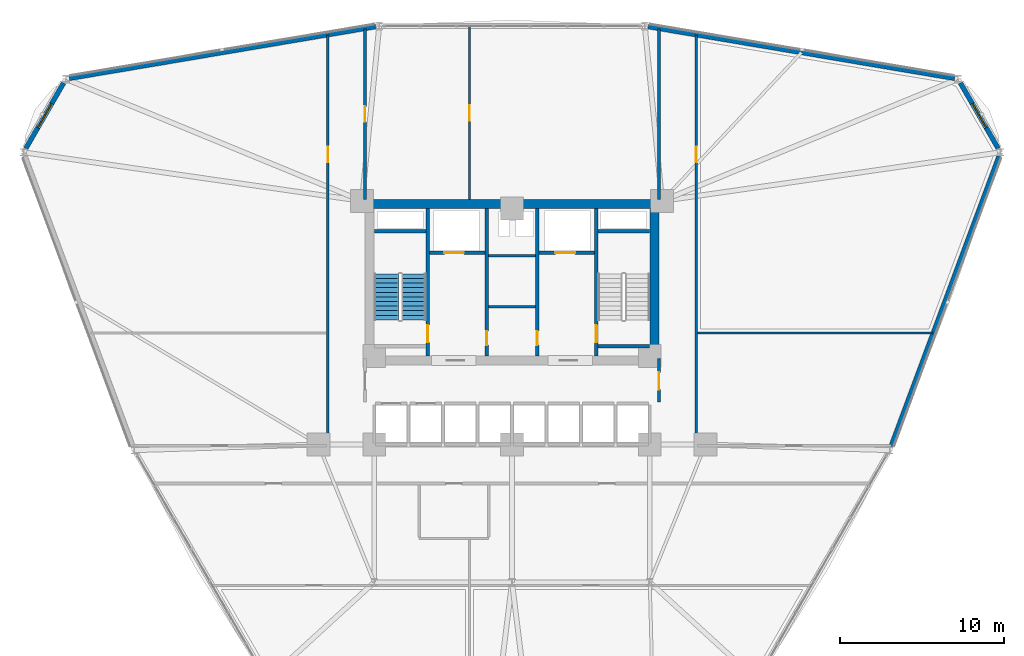
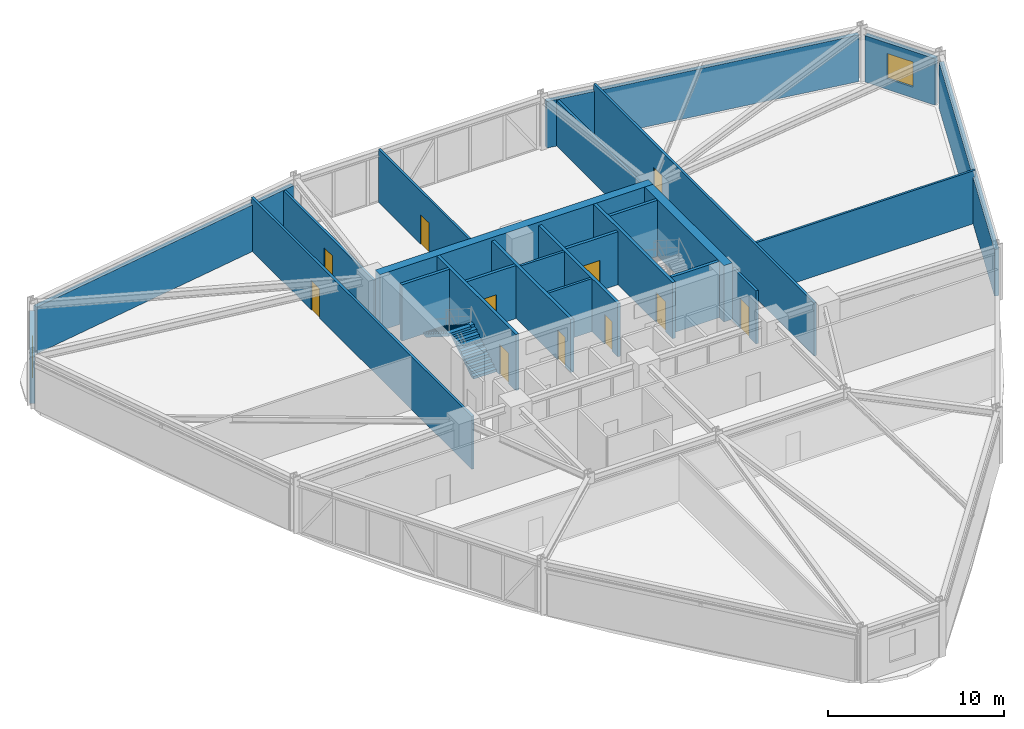
# One storey, part 16 of 21: 25 walls, 11 doors, 2 stair flights, 2 windows, 13 openings, 1 element without a shape of its own.
"""IFC4 building model written with IfcOpenShell, lengths in metres."""

from ifc_helpers import new_model, si_unit, derived_unit, direction, frame, frame_2d, origin, place, context, subcontext, project, spatial, polyline, rectangle, outline, extrude, material, layer, layer_set, type_object, element, fill, aggregate, save


model = new_model("IFC4")

# Units and contexts
model_context = context("Model", 3, precision=1e-05, world=origin(), true_north=direction((0.0, 1.0)))
body_context = subcontext(model_context, "Body", "Model", "MODEL_VIEW")
ifc_project = project(units=[si_unit("LENGTHUNIT", "METRE"), si_unit("AREAUNIT", "SQUARE_METRE"), si_unit("VOLUMEUNIT", "CUBIC_METRE"), si_unit("PLANEANGLEUNIT", "RADIAN"), si_unit("MASSUNIT", "GRAM", prefix="KILO"), derived_unit("THERMALTRANSMITTANCEUNIT", [(si_unit("POWERUNIT", "WATT"), 1), (si_unit("LENGTHUNIT", "METRE"), -2), (si_unit("THERMODYNAMICTEMPERATUREUNIT", "KELVIN"), -1)])], contexts=[model_context])

# Site, building, storey
site_placement = place(None, origin())
site = spatial("IfcSite", under=ifc_project, at=site_placement, CompositionType="ELEMENT")
building_placement = place(site_placement, origin())
building = spatial("IfcBuilding", under=site, at=building_placement, Name="Korsvarv Bourse and Concert Hall", CompositionType="ELEMENT")
storey_placement = place(building_placement, frame((0.0, 0.0, 27.89990234375)))
storey = spatial("IfcBuildingStorey", under=building, at=storey_placement, Name="L06", CompositionType="ELEMENT", Elevation=27.89990234375)

# Wall, opening, door
ifc_material_1 = material(Name="Concrete C50/60", Category="concrete")
ifc_layer_1 = layer(ifc_material_1, 0.3798828125)
ifc_layer_set_1 = layer_set([ifc_layer_1], Name="Concrete C50/60")
wall_type_1 = type_object("IfcWallType", Name="WL-CORE-380", PredefinedType="SHEAR", material=ifc_layer_set_1)
wall_1_placement = place(storey_placement, frame((30.860107421875, 37.81005859375, 0.0), z_axis=(0.0, 0.0, 1.0), x_axis=(0.0, 1.0, 0.0)))
wall_1 = element("IfcWall", 1, at=wall_1_placement, inside=storey, type_object=wall_type_1, Name="L06 stair shaft structural wall W-L06-ST1-E", PredefinedType="SHEAR", context=body_context, shape_type="SweptSolid", body=[
    extrude(rectangle(XDim=8.97998046875, YDim=0.199951171875, at=frame_2d((4.489990234375, 0.0))), origin(), (0.0, 0.0, 1.0), 3.900146484375),
])
opening_1_placement = place(wall_1_placement, frame((0.820068359375, 0.0, 0.0)))
opening_1 = element("IfcOpeningElement", 2, at=opening_1_placement, cuts=wall_1, Name="Opening D-01", PredefinedType="OPENING", context=body_context, shape_type="SweptSolid", body=[
    extrude(rectangle(XDim=1.050048828125, YDim=2.10009765625, at=frame_2d((0.52490234375, 1.050048828125))), frame((0.0, 0.10986328125, 0.0), z_axis=(0.0, -1.0, 0.0), x_axis=(1.0, 0.0, 0.0)), (0.0, 0.0, 1.0), 0.219970703125),
])
ifc_material_2 = material(Name="Steel S355 fire door", Category="steel")
door_type_1 = type_object("IfcDoorType", Name="DR-FD60", OperationType="NOTDEFINED", PredefinedType="DOOR", material=ifc_material_2)
door_1_placement = place(opening_1_placement, origin())
door_1 = element("IfcDoor", 3, at=door_1_placement, inside=storey, type_object=door_type_1, Name="L06 interior door DR-L06-ST1", OperationType="SINGLE_SWING_RIGHT", OverallHeight=2.10009765625, OverallWidth=1.050048828125, PredefinedType="DOOR", context=body_context, shape_type="SweptSolid", body=[
    extrude(rectangle(XDim=1.050048828125, YDim=2.10009765625, at=frame_2d((0.52490234375, 1.050048828125))), frame((0.0, 0.02490234375, 0.0), z_axis=(0.0, -1.0, 0.0), x_axis=(1.0, 0.0, 0.0)), (0.0, 0.0, 1.0), 0.050048828125),
])
fill(opening_1, door_1)

# Wall
wall_2_placement = place(storey_placement, frame((27.610107421875, 45.39990234375, 0.0), z_axis=(0.0, 0.0, 1.0), x_axis=(1.0, 0.0, 0.0)))
element("IfcWall", 4, at=wall_2_placement, inside=storey, type_object=wall_type_1, Name="L06 stair shaft structural wall W-L06-ST1-N", PredefinedType="SHEAR", context=body_context, shape_type="SweptSolid", body=[
    extrude(rectangle(XDim=3.139892578125, YDim=0.199951171875, at=frame_2d((1.56982421875, 0.0))), origin(), (0.0, 0.0, 1.0), 3.900146484375),
])

# Wall, opening, door
wall_3_placement = place(storey_placement, frame((41.139892578125, 37.81005859375, 0.0), z_axis=(0.0, 0.0, 1.0), x_axis=(0.0, 1.0, 0.0)))
wall_3 = element("IfcWall", 5, at=wall_3_placement, inside=storey, type_object=wall_type_1, Name="L06 stair shaft structural wall W-L06-ST2-W", PredefinedType="SHEAR", context=body_context, shape_type="SweptSolid", body=[
    extrude(rectangle(XDim=8.97998046875, YDim=0.199951171875, at=frame_2d((4.489990234375, 0.0))), origin(), (0.0, 0.0, 1.0), 3.900146484375),
])
opening_2_placement = place(wall_3_placement, frame((0.820068359375, 0.0, 0.0)))
opening_2 = element("IfcOpeningElement", 6, at=opening_2_placement, cuts=wall_3, Name="Opening D-01", PredefinedType="OPENING", context=body_context, shape_type="SweptSolid", body=[
    extrude(rectangle(XDim=1.050048828125, YDim=2.10009765625, at=frame_2d((0.52490234375, 1.050048828125))), frame((0.0, 0.10986328125, 0.0), z_axis=(0.0, -1.0, 0.0), x_axis=(1.0, 0.0, 0.0)), (0.0, 0.0, 1.0), 0.219970703125),
])
door_2_placement = place(opening_2_placement, frame((1.050048828125, 0.0, 0.0), z_axis=(0.0, 0.0, 1.0), x_axis=(-1.0, 0.0, 0.0)))
door_2 = element("IfcDoor", 7, at=door_2_placement, inside=storey, type_object=door_type_1, Name="L06 interior door DR-L06-ST2", OperationType="SINGLE_SWING_LEFT", OverallHeight=2.10009765625, OverallWidth=1.050048828125, PredefinedType="DOOR", context=body_context, shape_type="SweptSolid", body=[
    extrude(rectangle(XDim=1.050048828125, YDim=2.10009765625, at=frame_2d((0.52490234375, 1.050048828125))), frame((0.0, 0.02490234375, 0.0), z_axis=(0.0, -1.0, 0.0), x_axis=(1.0, 0.0, 0.0)), (0.0, 0.0, 1.0), 0.050048828125),
])
fill(opening_2, door_2)

# Walls
for number, where, z_axis, x_axis, name in (
    (8, (41.25, 45.39990234375, 0.0), (0.0, 0.0, 1.0), (1.0, 0.0, 0.0), "L06 stair shaft structural wall W-L06-ST2-N"),
    (9, (41.25, 38.39990234375, 0.0), (0.0, 0.0, 1.0), (1.0, 0.0, 0.0), "L06 stair shaft structural wall W-L06-ST2-S"),
):
    element("IfcWall", number, at=place(storey_placement, frame(where, z_axis=z_axis, x_axis=x_axis)), inside=storey, type_object=wall_type_1, Name=name, PredefinedType="SHEAR", context=body_context, shape_type="SweptSolid", body=[
        extrude(rectangle(XDim=3.139892578125, YDim=0.199951171875, at=frame_2d((1.56982421875, 0.0))), origin(), (0.0, 0.0, 1.0), 3.900146484375),
    ])
ifc_material_3 = material(Name="Concrete C60/75", Category="concrete")
ifc_layer_2 = layer(ifc_material_3, 0.550048828125)
ifc_layer_set_2 = layer_set([ifc_layer_2], Name="Concrete C60/75")
wall_type_2 = type_object("IfcWallType", Name="WL-CORE-550", PredefinedType="SHEAR", material=ifc_layer_set_2)
wall_4_placement = place(storey_placement, frame((27.050048828125, 47.074951171875, 0.0), z_axis=(0.0, 0.0, 1.0), x_axis=(1.0, 0.0, 0.0)))
element("IfcWall", 10, at=wall_4_placement, inside=storey, type_object=wall_type_2, Name="L06 North Core Shear Wall", PredefinedType="SHEAR", context=body_context, shape_type="SweptSolid", body=[
    extrude(rectangle(XDim=17.89990234375, YDim=0.550048828125, at=frame_2d((8.949951171875, 0.0))), origin(), (0.0, 0.0, 1.0), 3.900146484375),
])
wall_5_placement = place(storey_placement, frame((44.675048828125, 37.800048828125, 0.0), z_axis=(0.0, 0.0, 1.0), x_axis=(0.0, 1.0, 0.0)))
element("IfcWall", 11, at=wall_5_placement, inside=storey, type_object=wall_type_2, Name="L06 East Core Shear Wall", PredefinedType="SHEAR", context=body_context, shape_type="SweptSolid", body=[
    extrude(rectangle(XDim=9.0, YDim=0.550048828125, at=frame_2d((4.5, 0.0))), origin(), (0.0, 0.0, 1.0), 3.900146484375),
])

# Wall, opening, window
ifc_material_4 = material(Name="Precast concrete C45/55 with terracotta rainscreen", Category="concrete")
ifc_layer_3 = layer(ifc_material_4, 0.300048828125)
ifc_layer_set_3 = layer_set([ifc_layer_3], Name="Precast concrete C45/55 with terracotta rainscreen")
wall_type_3 = type_object("IfcWallType", Name="WL-EXT-TC1", PredefinedType="SOLIDWALL", material=ifc_layer_set_3)
wall_6_placement = place(storey_placement, frame((65.64892578125, 50.459228515625, 0.0), z_axis=(0.0, 0.0, 1.0), x_axis=(-0.500022295776, 0.86601253093, 0.0)))
wall_6 = element("IfcWall", 12, at=wall_6_placement, inside=storey, type_object=wall_type_3, Name="L06 terracotta exterior wall EW-L06-B01", PredefinedType="SOLIDWALL", context=body_context, shape_type="SweptSolid", body=[
    extrude(rectangle(XDim=4.604736328125, YDim=0.300048828125, at=frame_2d((2.30224609375, 0.0))), origin(), (0.0, 0.0, 1.0), 3.22998046875),
])
opening_3_placement = place(wall_6_placement, frame((1.452392578125, 0.0, 0.75)))
opening_3 = element("IfcOpeningElement", 13, at=opening_3_placement, cuts=wall_6, Name="Opening W-01", PredefinedType="OPENING", context=body_context, shape_type="SweptSolid", body=[
    extrude(rectangle(XDim=1.699951171875, YDim=1.75, at=frame_2d((0.85009765625, 0.875))), frame((0.0, 0.16015625, 0.0), z_axis=(0.0, -1.0, 0.0), x_axis=(1.0, 0.0, 0.0)), (0.0, 0.0, 1.0), 0.320068359375),
])
ifc_material_5 = material(Name="Thermally broken aluminium frame with triple low-E glass", Category="glass")
window_type = type_object("IfcWindowType", Name="WIN-TW1", PartitioningType="SINGLE_PANEL", PredefinedType="WINDOW", material=ifc_material_5)
window_1_placement = place(opening_3_placement, origin())
window_1 = element("IfcWindow", 14, at=window_1_placement, inside=storey, type_object=window_type, Name="L06 punched facade window W-01", OverallHeight=1.75, OverallWidth=1.699951171875, PartitioningType="SINGLE_PANEL", PredefinedType="WINDOW", context=body_context, shape_type="SweptSolid", body=[
    extrude(rectangle(XDim=1.699951171875, YDim=1.75, at=frame_2d((0.85009765625, 0.875))), frame((0.0, 0.030029296875, 0.0), z_axis=(0.0, -1.0, 0.0), x_axis=(1.0, 0.0, 0.0)), (0.0, 0.0, 1.0), 0.06005859375),
])
fill(opening_3, window_1)

wall_7_placement = place(storey_placement, frame((8.653564453125, 54.447021484375, 0.0), z_axis=(0.0, 0.0, 1.0), x_axis=(-0.500022295776, -0.86601253093, 0.0)))
wall_7 = element("IfcWall", 15, at=wall_7_placement, inside=storey, type_object=wall_type_3, Name="L06 terracotta exterior wall EW-L06-B05", PredefinedType="SOLIDWALL", context=body_context, shape_type="SweptSolid", body=[
    extrude(rectangle(XDim=4.604736328125, YDim=0.300048828125, at=frame_2d((2.30224609375, 0.0))), origin(), (0.0, 0.0, 1.0), 3.22998046875),
])
opening_4_placement = place(wall_7_placement, frame((1.452392578125, 0.0, 0.75)))
opening_4 = element("IfcOpeningElement", 16, at=opening_4_placement, cuts=wall_7, Name="Opening W-01", PredefinedType="OPENING", context=body_context, shape_type="SweptSolid", body=[
    extrude(rectangle(XDim=1.699951171875, YDim=1.75, at=frame_2d((0.85009765625, 0.875))), frame((0.0, 0.16015625, 0.0), z_axis=(0.0, -1.0, 0.0), x_axis=(1.0, 0.0, 0.0)), (0.0, 0.0, 1.0), 0.320068359375),
])
window_2_placement = place(opening_4_placement, origin())
window_2 = element("IfcWindow", 17, at=window_2_placement, inside=storey, type_object=window_type, Name="L06 punched facade window W-01", OverallHeight=1.75, OverallWidth=1.699951171875, PartitioningType="SINGLE_PANEL", PredefinedType="WINDOW", context=body_context, shape_type="SweptSolid", body=[
    extrude(rectangle(XDim=1.699951171875, YDim=1.75, at=frame_2d((0.85009765625, 0.875))), frame((0.0, 0.030029296875, 0.0), z_axis=(0.0, -1.0, 0.0), x_axis=(1.0, 0.0, 0.0)), (0.0, 0.0, 1.0), 0.06005859375),
])
fill(opening_4, window_2)

# Walls
ifc_material_6 = material(Name="Precast concrete C45/55 with fluted terracotta pier", Category="concrete")
ifc_layer_4 = layer(ifc_material_6, 0.280029296875)
ifc_layer_set_4 = layer_set([ifc_layer_4], Name="Precast concrete C45/55 with fluted terracotta pier")
wall_type_4 = type_object("IfcWallType", Name="WL-EXT-TC2", PredefinedType="SOLIDWALL", material=ifc_layer_set_4)
for number, where, z_axis, x_axis, name in (
    (18, (62.98974609375, 54.725830078125, 0.0), (0.0, 0.0, 1.0), (-0.98603202958, 0.166555806393, 0.0), "L06 terracotta exterior wall EW-L06-B02"),
    (19, (27.685546875, 57.88037109375, 0.0), (0.0, 0.0, 1.0), (-0.98603202958, -0.166555806393, 0.0), "L06 terracotta exterior wall EW-L06-B04"),
):
    element("IfcWall", number, at=place(storey_placement, frame(where, z_axis=z_axis, x_axis=x_axis)), inside=storey, type_object=wall_type_4, Name=name, PredefinedType="SOLIDWALL", context=body_context, shape_type="SweptSolid", body=[
        extrude(rectangle(XDim=18.93994140625, YDim=0.280029296875, at=frame_2d((9.469970703125, 0.0))), origin(), (0.0, 0.0, 1.0), 3.22998046875),
    ])
wall_8_placement = place(storey_placement, frame((59.11962890625, 32.296142578125, 0.0), z_axis=(0.0, 0.0, 1.0), x_axis=(0.348763587367, 0.937210734108, 0.0)))
element("IfcWall", 20, at=wall_8_placement, inside=storey, type_object=wall_type_4, Name="L06 terracotta exterior wall EW-L06-B12", PredefinedType="SOLIDWALL", context=body_context, shape_type="SweptSolid", body=[
    extrude(rectangle(XDim=18.86328125, YDim=0.280029296875, at=frame_2d((9.431640625, 0.0))), origin(), (0.0, 0.0, 1.0), 3.22998046875),
])

# Wall, opening, door
ifc_material_7 = material(Name="Reinforced concrete blockwork C35/45 fire wall", Category="concrete")
ifc_layer_5 = layer(ifc_material_7, 0.199951171875)
ifc_layer_set_5 = layer_set([ifc_layer_5], Name="Reinforced concrete blockwork C35/45 fire wall")
wall_type_5 = type_object("IfcWallType", Name="WL-INT-EI120", PredefinedType="PARTITIONING", material=ifc_layer_set_5)
wall_9_placement = place(storey_placement, frame((30.969970703125, 44.10009765625, 0.0), z_axis=(0.0, 0.0, 1.0), x_axis=(1.0, 0.0, 0.0)))
wall_9 = element("IfcWall", 21, at=wall_9_placement, inside=storey, type_object=wall_type_5, Name="L06 interior partition wall W-L06-FF1-S", PredefinedType="PARTITIONING", context=body_context, shape_type="SweptSolid", body=[
    extrude(rectangle(XDim=3.380126953125, YDim=0.199951171875, at=frame_2d((1.68994140625, 0.0))), origin(), (0.0, 0.0, 1.0), 3.68017578125),
])
opening_5_placement = place(wall_9_placement, frame((0.89990234375, 0.0, 0.0)))
opening_5 = element("IfcOpeningElement", 22, at=opening_5_placement, cuts=wall_9, Name="Opening LD-1", PredefinedType="OPENING", context=body_context, shape_type="SweptSolid", body=[
    extrude(rectangle(XDim=1.199951171875, YDim=2.10009765625, at=frame_2d((0.60009765625, 1.050048828125))), frame((0.0, 0.10986328125, 0.0), z_axis=(0.0, -1.0, 0.0), x_axis=(1.0, 0.0, 0.0)), (0.0, 0.0, 1.0), 0.219970703125),
])
ifc_material_8 = material(Name="Stainless Steel S355 firefighting lift landing door", Category="steel")
door_type_2 = type_object("IfcDoorType", Name="DR-LIFT-FF", OperationType="DOUBLE_DOOR_SLIDING", PredefinedType="DOOR", material=ifc_material_8)
door_3_placement = place(opening_5_placement, origin())
door_3 = element("IfcDoor", 23, at=door_3_placement, inside=storey, type_object=door_type_2, Name="L06 lift sliding landing door LD-L06-FF1", OperationType="DOUBLE_DOOR_SLIDING", OverallHeight=2.10009765625, OverallWidth=1.199951171875, PredefinedType="DOOR", context=body_context, shape_type="SweptSolid", body=[
    extrude(rectangle(XDim=1.199951171875, YDim=2.10009765625, at=frame_2d((0.60009765625, 1.050048828125))), frame((0.0, 0.02490234375, 0.0), z_axis=(0.0, -1.0, 0.0), x_axis=(1.0, 0.0, 0.0)), (0.0, 0.0, 1.0), 0.050048828125),
])
fill(opening_5, door_3)

wall_10_placement = place(storey_placement, frame((37.64990234375, 44.10009765625, 0.0), z_axis=(0.0, 0.0, 1.0), x_axis=(1.0, 0.0, 0.0)))
wall_10 = element("IfcWall", 24, at=wall_10_placement, inside=storey, type_object=wall_type_5, Name="L06 interior partition wall W-L06-FF2-S", PredefinedType="PARTITIONING", context=body_context, shape_type="SweptSolid", body=[
    extrude(rectangle(XDim=3.380126953125, YDim=0.199951171875, at=frame_2d((1.68994140625, 0.0))), origin(), (0.0, 0.0, 1.0), 3.68017578125),
])
opening_6_placement = place(wall_10_placement, frame((1.0, 0.0, 0.0)))
opening_6 = element("IfcOpeningElement", 25, at=opening_6_placement, cuts=wall_10, Name="Opening LD-1", PredefinedType="OPENING", context=body_context, shape_type="SweptSolid", body=[
    extrude(rectangle(XDim=1.199951171875, YDim=2.10009765625, at=frame_2d((0.60009765625, 1.050048828125))), frame((0.0, 0.10986328125, 0.0), z_axis=(0.0, -1.0, 0.0), x_axis=(1.0, 0.0, 0.0)), (0.0, 0.0, 1.0), 0.219970703125),
])
door_4_placement = place(opening_6_placement, origin())
door_4 = element("IfcDoor", 26, at=door_4_placement, inside=storey, type_object=door_type_2, Name="L06 lift sliding landing door LD-L06-FF2", OperationType="DOUBLE_DOOR_SLIDING", OverallHeight=2.10009765625, OverallWidth=1.199951171875, PredefinedType="DOOR", context=body_context, shape_type="SweptSolid", body=[
    extrude(rectangle(XDim=1.199951171875, YDim=2.10009765625, at=frame_2d((0.60009765625, 1.050048828125))), frame((0.0, 0.02490234375, 0.0), z_axis=(0.0, -1.0, 0.0), x_axis=(1.0, 0.0, 0.0)), (0.0, 0.0, 1.0), 0.050048828125),
])
fill(opening_6, door_4)

wall_11_placement = place(storey_placement, frame((34.4599609375, 37.81005859375, 0.0), z_axis=(0.0, 0.0, 1.0), x_axis=(0.0, 1.0, 0.0)))
wall_11 = element("IfcWall", 27, at=wall_11_placement, inside=storey, type_object=wall_type_5, Name="L06 interior partition wall W-L06-CSB-W", PredefinedType="PARTITIONING", context=body_context, shape_type="SweptSolid", body=[
    extrude(rectangle(XDim=8.97998046875, YDim=0.199951171875, at=frame_2d((4.489990234375, 0.0))), origin(), (0.0, 0.0, 1.0), 3.68017578125),
])
opening_7_placement = place(wall_11_placement, frame((0.64990234375, 0.0, 0.0)))
opening_7 = element("IfcOpeningElement", 28, at=opening_7_placement, cuts=wall_11, Name="Opening D-05", PredefinedType="OPENING", context=body_context, shape_type="SweptSolid", body=[
    extrude(rectangle(XDim=0.85009765625, YDim=2.050048828125, at=frame_2d((0.425048828125, 1.02490234375))), frame((0.0, 0.10986328125, 0.0), z_axis=(0.0, -1.0, 0.0), x_axis=(1.0, 0.0, 0.0)), (0.0, 0.0, 1.0), 0.219970703125),
])
door_type_3 = type_object("IfcDoorType", Name="DR-FD60-850X2050", OperationType="NOTDEFINED", PredefinedType="DOOR", material=ifc_material_2)
door_5_placement = place(opening_7_placement, frame((0.85009765625, 0.0, 0.0), z_axis=(0.0, 0.0, 1.0), x_axis=(-1.0, 0.0, 0.0)))
door_5 = element("IfcDoor", 29, at=door_5_placement, inside=storey, type_object=door_type_3, Name="L06 interior door DR-L06-CSB1", OperationType="SINGLE_SWING_RIGHT", OverallHeight=2.050048828125, OverallWidth=0.85009765625, PredefinedType="DOOR", context=body_context, shape_type="SweptSolid", body=[
    extrude(rectangle(XDim=0.85009765625, YDim=2.050048828125, at=frame_2d((0.425048828125, 1.02490234375))), frame((0.0, 0.02490234375, 0.0), z_axis=(0.0, -1.0, 0.0), x_axis=(1.0, 0.0, 0.0)), (0.0, 0.0, 1.0), 0.050048828125),
])
fill(opening_7, door_5)

wall_12_placement = place(storey_placement, frame((37.5400390625, 37.81005859375, 0.0), z_axis=(0.0, 0.0, 1.0), x_axis=(0.0, 1.0, 0.0)))
wall_12 = element("IfcWall", 30, at=wall_12_placement, inside=storey, type_object=wall_type_5, Name="L06 interior partition wall W-L06-CSB-E", PredefinedType="PARTITIONING", context=body_context, shape_type="SweptSolid", body=[
    extrude(rectangle(XDim=8.97998046875, YDim=0.199951171875, at=frame_2d((4.489990234375, 0.0))), origin(), (0.0, 0.0, 1.0), 3.68017578125),
])
opening_8_placement = place(wall_12_placement, frame((0.64990234375, 0.0, 0.0)))
opening_8 = element("IfcOpeningElement", 31, at=opening_8_placement, cuts=wall_12, Name="Opening D-05", PredefinedType="OPENING", context=body_context, shape_type="SweptSolid", body=[
    extrude(rectangle(XDim=0.85009765625, YDim=2.050048828125, at=frame_2d((0.425048828125, 1.02490234375))), frame((0.0, 0.10986328125, 0.0), z_axis=(0.0, -1.0, 0.0), x_axis=(1.0, 0.0, 0.0)), (0.0, 0.0, 1.0), 0.219970703125),
])
door_6_placement = place(opening_8_placement, origin())
door_6 = element("IfcDoor", 32, at=door_6_placement, inside=storey, type_object=door_type_3, Name="L06 interior door DR-L06-CSB2", OperationType="SINGLE_SWING_LEFT", OverallHeight=2.050048828125, OverallWidth=0.85009765625, PredefinedType="DOOR", context=body_context, shape_type="SweptSolid", body=[
    extrude(rectangle(XDim=0.85009765625, YDim=2.050048828125, at=frame_2d((0.425048828125, 1.02490234375))), frame((0.0, 0.02490234375, 0.0), z_axis=(0.0, -1.0, 0.0), x_axis=(1.0, 0.0, 0.0)), (0.0, 0.0, 1.0), 0.050048828125),
])
fill(opening_8, door_6)

# Walls
ifc_material_9 = material(Name="Double-stud fire-rated acoustic partition", Category="gypsum")
ifc_layer_6 = layer(ifc_material_9, 0.159912109375)
ifc_layer_set_6 = layer_set([ifc_layer_6], Name="Double-stud fire-rated acoustic partition")
wall_type_6 = type_object("IfcWallType", Name="WL-INT-EI60", PredefinedType="PARTITIONING", material=ifc_layer_set_6)
for number, where, z_axis, x_axis, name in (
    (33, (34.570068359375, 40.800048828125, 0.0), (0.0, 0.0, 1.0), (1.0, 0.0, 0.0), "L06 interior partition wall W-L06-K1"),
    (34, (34.570068359375, 43.89990234375, 0.0), (0.0, 0.0, 1.0), (1.0, 0.0, 0.0), "L06 interior partition wall W-L06-K2"),
):
    element("IfcWall", number, at=place(storey_placement, frame(where, z_axis=z_axis, x_axis=x_axis)), inside=storey, type_object=wall_type_6, Name=name, PredefinedType="PARTITIONING", context=body_context, shape_type="SweptSolid", body=[
        extrude(rectangle(XDim=2.85986328125, YDim=0.159912109375, at=frame_2d((1.429931640625, 0.0))), origin(), (0.0, 0.0, 1.0), 3.68017578125),
    ])

# Wall, opening, door
wall_13_placement = place(storey_placement, frame((44.9599609375, 35.0, 0.0), z_axis=(0.0, 0.0, 1.0), x_axis=(0.0, 1.0, 0.0)))
wall_13 = element("IfcWall", 35, at=wall_13_placement, inside=storey, type_object=wall_type_6, Name="L06 interior partition wall W-L06-LOB-E", PredefinedType="PARTITIONING", context=body_context, shape_type="SweptSolid", body=[
    extrude(rectangle(XDim=2.64990234375, YDim=0.159912109375, at=frame_2d((1.324951171875, 0.0))), origin(), (0.0, 0.0, 1.0), 3.68017578125),
])
opening_9_placement = place(wall_13_placement, frame((0.75, 0.0, 0.0)))
opening_9 = element("IfcOpeningElement", 36, at=opening_9_placement, cuts=wall_13, Name="Opening D-01", PredefinedType="OPENING", context=body_context, shape_type="SweptSolid", body=[
    extrude(rectangle(XDim=1.050048828125, YDim=2.10009765625, at=frame_2d((0.52490234375, 1.050048828125))), frame((0.0, 0.08984375, 0.0), z_axis=(0.0, -1.0, 0.0), x_axis=(1.0, 0.0, 0.0)), (0.0, 0.0, 1.0), 0.179931640625),
])
door_7_placement = place(opening_9_placement, origin())
door_7 = element("IfcDoor", 37, at=door_7_placement, inside=storey, type_object=door_type_1, Name="L06 interior door DR-L06-LOBE", OperationType="SINGLE_SWING_LEFT", OverallHeight=2.10009765625, OverallWidth=1.050048828125, PredefinedType="DOOR", context=body_context, shape_type="SweptSolid", body=[
    extrude(rectangle(XDim=1.050048828125, YDim=2.10009765625, at=frame_2d((0.52490234375, 1.050048828125))), frame((0.0, 0.02490234375, 0.0), z_axis=(0.0, -1.0, 0.0), x_axis=(1.0, 0.0, 0.0)), (0.0, 0.0, 1.0), 0.050048828125),
])
fill(opening_9, door_7)

wall_14_placement = place(storey_placement, frame((47.22509765625, 32.31005859375, 0.0), z_axis=(0.0, 0.0, 1.0), x_axis=(0.0, 1.0, 0.0)))
wall_14 = element("IfcWall", 38, at=wall_14_placement, inside=storey, type_object=wall_type_6, Name="L06 interior partition wall W-L06-TCOR-02", PredefinedType="PARTITIONING", context=body_context, shape_type="SweptSolid", body=[
    extrude(rectangle(XDim=25.058837890625, YDim=0.159912109375, at=frame_2d((12.529296875, 0.0))), origin(), (0.0, 0.0, 1.0), 3.68017578125),
])
opening_10_placement = place(wall_14_placement, frame((17.28662109375, 0.0, 0.0)))
opening_10 = element("IfcOpeningElement", 39, at=opening_10_placement, cuts=wall_14, Name="Opening D-02", PredefinedType="OPENING", context=body_context, shape_type="SweptSolid", body=[
    extrude(rectangle(XDim=0.949951171875, YDim=2.050048828125, at=frame_2d((0.47509765625, 1.02490234375))), frame((0.0, 0.08984375, 0.0), z_axis=(0.0, -1.0, 0.0), x_axis=(1.0, 0.0, 0.0)), (0.0, 0.0, 1.0), 0.179931640625),
])
ifc_material_10 = material(Name="Timber and steel acoustic fire door", Category="wood")
door_type_4 = type_object("IfcDoorType", Name="DR-FD30", OperationType="NOTDEFINED", PredefinedType="DOOR", material=ifc_material_10)
door_8_placement = place(opening_10_placement, origin())
door_8 = element("IfcDoor", 40, at=door_8_placement, inside=storey, type_object=door_type_4, Name="L06 interior door DR-L06-TCOR-EQ82", OperationType="SINGLE_SWING_LEFT", OverallHeight=2.050048828125, OverallWidth=0.949951171875, PredefinedType="DOOR", context=body_context, shape_type="SweptSolid", body=[
    extrude(rectangle(XDim=0.949951171875, YDim=2.050048828125, at=frame_2d((0.47509765625, 1.02490234375))), frame((0.0, 0.02490234375, 0.0), z_axis=(0.0, -1.0, 0.0), x_axis=(1.0, 0.0, 0.0)), (0.0, 0.0, 1.0), 0.050048828125),
])
fill(opening_10, door_8)

wall_15_placement = place(storey_placement, frame((24.77490234375, 32.31005859375, 0.0), z_axis=(0.0, 0.0, 1.0), x_axis=(0.0, 1.0, 0.0)))
wall_15 = element("IfcWall", 41, at=wall_15_placement, inside=storey, type_object=wall_type_6, Name="L06 interior partition wall W-L06-TCOR-03", PredefinedType="PARTITIONING", context=body_context, shape_type="SweptSolid", body=[
    extrude(rectangle(XDim=25.058837890625, YDim=0.159912109375, at=frame_2d((12.529296875, 0.0))), origin(), (0.0, 0.0, 1.0), 3.68017578125),
])
opening_11_placement = place(wall_15_placement, frame((17.28662109375, 0.0, 0.0)))
opening_11 = element("IfcOpeningElement", 42, at=opening_11_placement, cuts=wall_15, Name="Opening D-02", PredefinedType="OPENING", context=body_context, shape_type="SweptSolid", body=[
    extrude(rectangle(XDim=0.949951171875, YDim=2.050048828125, at=frame_2d((0.47509765625, 1.02490234375))), frame((0.0, 0.08984375, 0.0), z_axis=(0.0, -1.0, 0.0), x_axis=(1.0, 0.0, 0.0)), (0.0, 0.0, 1.0), 0.179931640625),
])
door_9_placement = place(opening_11_placement, origin())
door_9 = element("IfcDoor", 43, at=door_9_placement, inside=storey, type_object=door_type_4, Name="L06 interior door DR-L06-TCOR-EQ610", OperationType="SINGLE_SWING_RIGHT", OverallHeight=2.050048828125, OverallWidth=0.949951171875, PredefinedType="DOOR", context=body_context, shape_type="SweptSolid", body=[
    extrude(rectangle(XDim=0.949951171875, YDim=2.050048828125, at=frame_2d((0.47509765625, 1.02490234375))), frame((0.0, 0.02490234375, 0.0), z_axis=(0.0, -1.0, 0.0), x_axis=(1.0, 0.0, 0.0)), (0.0, 0.0, 1.0), 0.050048828125),
])
fill(opening_11, door_9)

wall_16_placement = place(storey_placement, frame((27.034912109375, 47.340087890625, 0.0), z_axis=(0.0, 0.0, 1.0), x_axis=(0.0, 1.0, 0.0)))
wall_16 = element("IfcWall", 44, at=wall_16_placement, inside=storey, type_object=wall_type_6, Name="L06 interior partition wall W-L06-TCOR-06", PredefinedType="PARTITIONING", context=body_context, shape_type="SweptSolid", body=[
    extrude(rectangle(XDim=10.410400390625, YDim=0.159912109375, at=frame_2d((5.205078125, 0.0))), origin(), (0.0, 0.0, 1.0), 3.18017578125),
])
opening_12_placement = place(wall_16_placement, frame((4.730224609375, 0.0, 0.0)))
opening_12 = element("IfcOpeningElement", 45, at=opening_12_placement, cuts=wall_16, Name="Opening D-02", PredefinedType="OPENING", context=body_context, shape_type="SweptSolid", body=[
    extrude(rectangle(XDim=0.949951171875, YDim=2.050048828125, at=frame_2d((0.47509765625, 1.02490234375))), frame((0.0, 0.08984375, 0.0), z_axis=(0.0, -1.0, 0.0), x_axis=(1.0, 0.0, 0.0)), (0.0, 0.0, 1.0), 0.179931640625),
])
door_10_placement = place(opening_12_placement, origin())
door_10 = element("IfcDoor", 46, at=door_10_placement, inside=storey, type_object=door_type_4, Name="L06 interior door DR-L06-TCOR-RM77", OperationType="SINGLE_SWING_LEFT", OverallHeight=2.050048828125, OverallWidth=0.949951171875, PredefinedType="DOOR", context=body_context, shape_type="SweptSolid", body=[
    extrude(rectangle(XDim=0.949951171875, YDim=2.050048828125, at=frame_2d((0.47509765625, 1.02490234375))), frame((0.0, 0.02490234375, 0.0), z_axis=(0.0, -1.0, 0.0), x_axis=(1.0, 0.0, 0.0)), (0.0, 0.0, 1.0), 0.050048828125),
])
fill(opening_12, door_10)

# Walls
wall_17_placement = place(storey_placement, frame((44.965087890625, 47.340087890625, 0.0), z_axis=(0.0, 0.0, 1.0), x_axis=(0.0, 1.0, 0.0)))
element("IfcWall", 47, at=wall_17_placement, inside=storey, type_object=wall_type_6, Name="L06 interior partition wall W-L06-TCOR-07", PredefinedType="PARTITIONING", context=body_context, shape_type="SweptSolid", body=[
    extrude(rectangle(XDim=10.410400390625, YDim=0.159912109375, at=frame_2d((5.205078125, 0.0))), origin(), (0.0, 0.0, 1.0), 3.18017578125),
])
ifc_material_11 = material(Name="Insulated steel-stud office acoustic partition", Category="gypsum")
ifc_layer_7 = layer(ifc_material_11, 0.139892578125)
ifc_layer_set_7 = layer_set([ifc_layer_7], Name="Insulated steel-stud office acoustic partition")
wall_type_7 = type_object("IfcWallType", Name="WL-INT-P1", PredefinedType="PARTITIONING", material=ifc_layer_set_7)
wall_18_placement = place(storey_placement, frame((47.306884765625, 39.205078125, 0.0), z_axis=(0.0, 0.0, 1.0), x_axis=(1.0, 0.0, 0.0)))
element("IfcWall", 48, at=wall_18_placement, inside=storey, type_object=wall_type_7, Name="L06 interior partition wall W-L06-TCOR-11", PredefinedType="PARTITIONING", context=body_context, shape_type="SweptSolid", body=[
    extrude(rectangle(XDim=14.36376953125, YDim=0.139892578125, at=frame_2d((7.181884765625, 0.0))), origin(), (0.0, 0.0, 1.0), 3.68017578125),
])

# Wall, opening, door
wall_19_placement = place(storey_placement, frame((33.405029296875, 47.35205078125, 0.0), z_axis=(0.0, 0.0, 1.0), x_axis=(0.0, 1.0, 0.0)))
wall_19 = element("IfcWall", 49, at=wall_19_placement, inside=storey, type_object=wall_type_7, Name="L06 interior partition wall W-L06-TCOR-12", PredefinedType="PARTITIONING", context=body_context, shape_type="SweptSolid", body=[
    extrude(rectangle(XDim=10.545166015625, YDim=0.139892578125, at=frame_2d((5.2724609375, 0.0))), origin(), (0.0, 0.0, 1.0), 3.68017578125),
])
opening_13_placement = place(wall_19_placement, frame((4.797607421875, 0.0, 0.0)))
opening_13 = element("IfcOpeningElement", 50, at=opening_13_placement, cuts=wall_19, Name="Opening D-03", PredefinedType="OPENING", context=body_context, shape_type="SweptSolid", body=[
    extrude(rectangle(XDim=0.949951171875, YDim=2.050048828125, at=frame_2d((0.47509765625, 1.02490234375))), frame((0.0, 0.080078125, 0.0), z_axis=(0.0, -1.0, 0.0), x_axis=(1.0, 0.0, 0.0)), (0.0, 0.0, 1.0), 0.159912109375),
])
ifc_material_12 = material(Name="Nordic oak acoustic office door", Category="wood")
door_type_5 = type_object("IfcDoorType", Name="DR-INT-1", OperationType="NOTDEFINED", PredefinedType="DOOR", material=ifc_material_12)
door_11_placement = place(opening_13_placement, origin())
door_11 = element("IfcDoor", 51, at=door_11_placement, inside=storey, type_object=door_type_5, Name="L06 interior door DR-L06-TCOR-RM88", OperationType="SINGLE_SWING_RIGHT", OverallHeight=2.050048828125, OverallWidth=0.949951171875, PredefinedType="DOOR", context=body_context, shape_type="SweptSolid", body=[
    extrude(rectangle(XDim=0.949951171875, YDim=2.050048828125, at=frame_2d((0.47509765625, 1.02490234375))), frame((0.0, 0.02490234375, 0.0), z_axis=(0.0, -1.0, 0.0), x_axis=(1.0, 0.0, 0.0)), (0.0, 0.0, 1.0), 0.050048828125),
])
fill(opening_13, door_11)

# Stair, stair flights
ifc_material_13 = material(Name="Precast concrete C45/55", Category="concrete")
stair_type = type_object("IfcStairType", Name="STR-TYPE-03", PredefinedType="HALF_TURN_STAIR", material=ifc_material_13)
stair_placement = place(storey_placement, origin())
stair = element("IfcStair", 52, at=stair_placement, inside=storey, type_object=stair_type, Name="L06 Tower West Exit Stair ST-T1", PredefinedType="HALF_TURN_STAIR")
stair_flight_type = type_object("IfcStairFlightType", Name="FLT-TYPE-03", PredefinedType="STRAIGHT", material=ifc_material_13)
stair_flight_1_placement = place(storey_placement, frame((30.010009765625, 40.0, 0.0), z_axis=(0.0, 0.0, 1.0), x_axis=(0.0, 1.0, 0.0)))
stair_flight_1 = element("IfcStairFlight", 53, at=stair_flight_1_placement, type_object=stair_flight_type, Name="ST-T1 flight 1", NumberOfRisers=11, NumberOfTreads=10, PredefinedType="STRAIGHT", RiserHeight=0.177272727, TreadLength=0.28, context=body_context, shape_type="SweptSolid", body=[
    extrude(outline(polyline([(0.0, 0.0), (0.0, 0.17724609375), (0.280029296875, 0.17724609375), (0.280029296875, 0.3544921875), (0.56005859375, 0.3544921875), (0.56005859375, 0.53173828125), (0.840087890625, 0.53173828125), (0.840087890625, 0.708984375), (1.1201171875, 0.708984375), (1.1201171875, 0.886474609375), (1.39990234375, 0.886474609375), (1.39990234375, 1.063720703125), (1.679931640625, 1.063720703125), (1.679931640625, 1.240966796875), (1.9599609375, 1.240966796875), (1.9599609375, 1.418212890625), (2.239990234375, 1.418212890625), (2.239990234375, 1.595458984375), (2.52001953125, 1.595458984375), (2.52001953125, 1.772705078125), (2.800048828125, 1.772705078125), (2.800048828125, 1.949951171875), (2.800048828125, 1.59521484375), (0.2802734375, 0.0), (0.0, 0.0)])), frame((0.0, 0.75, 0.0), z_axis=(0.0, -1.0, 0.0), x_axis=(1.0, 0.0, 0.0)), (0.0, 0.0, 1.0), 1.5),
])
stair_flight_2_placement = place(storey_placement, frame((28.35009765625, 42.800048828125, 1.9501953125), z_axis=(0.0, 0.0, 1.0), x_axis=(0.0, -1.0, 0.0)))
stair_flight_2 = element("IfcStairFlight", 54, at=stair_flight_2_placement, type_object=stair_flight_type, Name="ST-T1 flight 2", NumberOfRisers=11, NumberOfTreads=10, PredefinedType="STRAIGHT", RiserHeight=0.177272727, TreadLength=0.28, context=body_context, shape_type="SweptSolid", body=[
    extrude(outline(polyline([(0.0, 0.0), (0.0, 0.17724609375), (0.280029296875, 0.17724609375), (0.280029296875, 0.3544921875), (0.56005859375, 0.3544921875), (0.56005859375, 0.53173828125), (0.840087890625, 0.53173828125), (0.840087890625, 0.708984375), (1.1201171875, 0.708984375), (1.1201171875, 0.886474609375), (1.39990234375, 0.886474609375), (1.39990234375, 1.063720703125), (1.679931640625, 1.063720703125), (1.679931640625, 1.240966796875), (1.9599609375, 1.240966796875), (1.9599609375, 1.418212890625), (2.239990234375, 1.418212890625), (2.239990234375, 1.595458984375), (2.52001953125, 1.595458984375), (2.52001953125, 1.772705078125), (2.800048828125, 1.772705078125), (2.800048828125, 1.949951171875), (2.800048828125, 1.59521484375), (0.2802734375, 0.0), (0.0, 0.0)])), frame((0.0, 0.75, 0.0), z_axis=(0.0, -1.0, 0.0), x_axis=(1.0, 0.0, 0.0)), (0.0, 0.0, 1.0), 1.5),
])
aggregate(stair, [stair_flight_1, stair_flight_2])

save(model, "model.ifc")
